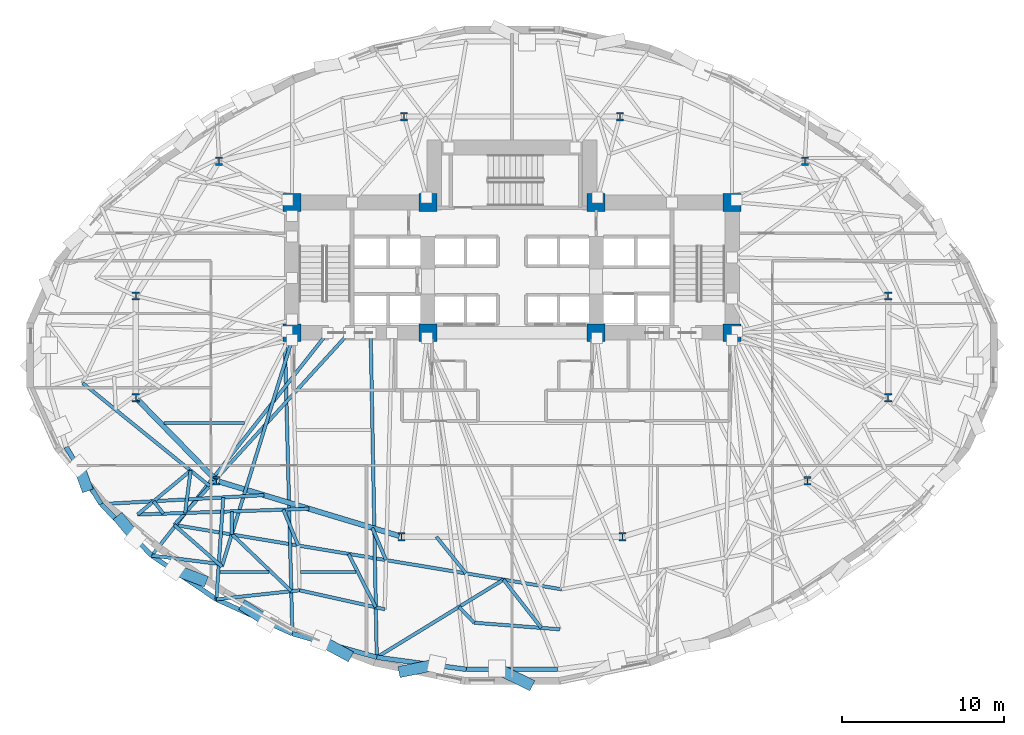
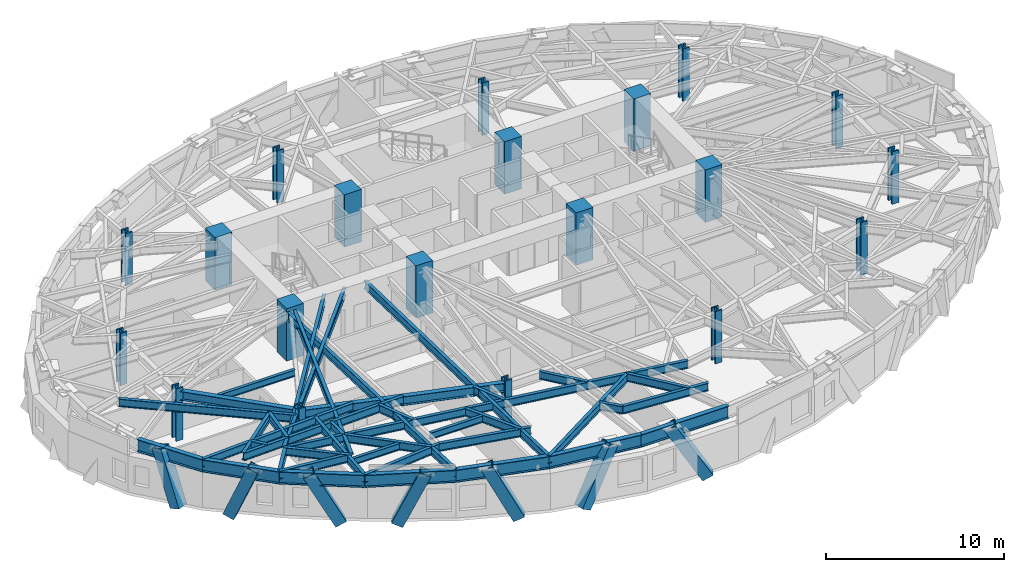
# One storey, part 1 of 14: 39 beams, 20 columns, 7 members.
"""IFC4 building model written with IfcOpenShell, lengths in metres."""

import ifcopenshell
import ifcopenshell.guid

model = None  # the IFC model being written
_history = None  # IfcOwnerHistory: only IFC2X3 demands one
_inside = {}  # id of a spatial element -> (the spatial element, [elements in it])
_under = {}  # id of a project, library or spatial element -> (it, [spatial elements below it])
_declared = {}  # id of a project -> (the project, [libraries it declares])
_typed = {}  # id of a type object -> (the type object, [elements of that type])
_made_of = {}  # id of a material, layer set ... -> (it, [elements and type objects made of it])


def new_model(schema):
    """Start an empty IFC model of exactly this schema.

    Asked for "IFC4X3", IfcOpenShell would pick the latest addendum, in which some entities
    have other attributes; the version numbers below select the first issue.
    IFC2X3 requires an IfcOwnerHistory on every rooted entity: one is made here for all.
    """
    global model, _history
    if schema == "IFC4X3":
        model = ifcopenshell.file(schema_version=(4, 3, 0, 0))
    else:
        model = ifcopenshell.file(schema=schema)
    _inside.clear()
    _under.clear()
    _declared.clear()
    _typed.clear()
    _made_of.clear()
    _history = None
    if model.schema == "IFC2X3":
        org = make("IfcOrganization", Name="unknown")
        user = make(
            "IfcPersonAndOrganization",
            ThePerson=make("IfcPerson", FamilyName="unknown"),
            TheOrganization=org,
        )
        app = make(
            "IfcApplication",
            ApplicationDeveloper=org,
            Version="unknown",
            ApplicationFullName="unknown",
            ApplicationIdentifier="unknown",
        )
        _history = make(
            "IfcOwnerHistory",
            OwningUser=user,
            OwningApplication=app,
            ChangeAction="ADDED",
            CreationDate=0,
        )
    return model


def make(cls, **values):
    """One entity of the class cls with the attributes given. An attribute that is None is left unset."""
    return model.create_entity(
        cls, **{name: value for name, value in values.items() if value is not None}
    )


def rooted(cls, **values):
    """An entity with a GlobalId (a new one), such as an element, a storey or a relation."""
    return make(cls, GlobalId=ifcopenshell.guid.new(), OwnerHistory=_history, **values)


def si_unit(unit_type, name, prefix=None):
    """IfcSIUnit, for example si_unit("LENGTHUNIT", "METRE", prefix="MILLI")."""
    return make("IfcSIUnit", UnitType=unit_type, Prefix=prefix, Name=name)


def assignment(units):
    """IfcUnitAssignment: the units of a project."""
    return None if units is None else make("IfcUnitAssignment", Units=units)


def point(xyz):
    """IfcCartesianPoint."""
    return None if xyz is None else make("IfcCartesianPoint", Coordinates=xyz)


def direction(xyz):
    """IfcDirection."""
    return None if xyz is None else make("IfcDirection", DirectionRatios=xyz)


def frame(location, z_axis=None, x_axis=None):
    """IfcAxis2Placement3D, a coordinate frame: its origin and axes. An axis left out is left unset."""
    return make(
        "IfcAxis2Placement3D",
        Location=point(location),
        Axis=direction(z_axis),
        RefDirection=direction(x_axis),
    )


def frame_2d(location, x_axis=None):
    """IfcAxis2Placement2D, a coordinate frame in the plane: its origin and x axis."""
    return make(
        "IfcAxis2Placement2D", Location=point(location), RefDirection=direction(x_axis)
    )


def origin():
    """The frame at (0, 0, 0) with its axes left unset."""
    return frame((0.0, 0.0, 0.0))


def origin_2d():
    """The frame at (0, 0) in the plane with its x axis left unset."""
    return frame_2d((0.0, 0.0))


def place(relative_to, where):
    """IfcLocalPlacement: puts the frame where relative to a parent placement (None: the world)."""
    return make(
        "IfcLocalPlacement", PlacementRelTo=relative_to, RelativePlacement=where
    )


def context(
    kind, dimensions, precision=None, world=None, true_north=None, identifier=None
):
    """IfcGeometricRepresentationContext, for example the 3D "Model" context."""
    return make(
        "IfcGeometricRepresentationContext",
        ContextIdentifier=identifier,
        ContextType=kind,
        CoordinateSpaceDimension=dimensions,
        Precision=precision,
        WorldCoordinateSystem=world,
        TrueNorth=true_north,
    )


def subcontext(parent, identifier, kind, view, scale=None):
    """IfcGeometricRepresentationSubContext, for example "Body" below "Model"."""
    return make(
        "IfcGeometricRepresentationSubContext",
        ContextIdentifier=identifier,
        ContextType=kind,
        ParentContext=parent,
        TargetScale=scale,
        TargetView=view,
    )


def project(units=None, contexts=None):
    """IfcProject with its units and contexts."""
    return rooted(
        "IfcProject",
        Name="project",
        RepresentationContexts=contexts,
        UnitsInContext=assignment(units),
    )


def spatial(cls, under=None, at=None, **own):
    """A site, building, storey or space (cls), placed at a placement, below another one or the project."""
    s = rooted(cls, ObjectPlacement=at, **own)
    if under is not None:
        _under.setdefault(under.id(), (under, []))[1].append(s)
    return s


def profile(cls, at=None, kind="AREA", **sizes):
    """A parametric profile (cls). Its sizes go by their IFC names, for example OverallWidth=200.0."""
    return make(cls, ProfileType=kind, Position=at, **sizes)


def rectangle(**sizes):
    """IfcRectangleProfileDef."""
    return profile("IfcRectangleProfileDef", **sizes)


def hollow_rectangle(**sizes):
    """IfcRectangleHollowProfileDef."""
    return profile("IfcRectangleHollowProfileDef", **sizes)


def i_section(**sizes):
    """IfcIShapeProfileDef."""
    return profile("IfcIShapeProfileDef", **sizes)


def extrude(swept, where, along, depth):
    """IfcExtrudedAreaSolid: the profile swept, set in the frame where, extruded along a direction by depth."""
    return make(
        "IfcExtrudedAreaSolid",
        SweptArea=swept,
        Position=where,
        ExtrudedDirection=direction(along),
        Depth=depth,
    )


def shape(context_of_items, identifier, shape_type, items):
    """IfcShapeRepresentation: the items that make up one representation, for example the "Body"."""
    return make(
        "IfcShapeRepresentation",
        ContextOfItems=context_of_items,
        RepresentationIdentifier=identifier,
        RepresentationType=shape_type,
        Items=items,
    )


def material(Name=None, Category=None):
    """IfcMaterial."""
    return make("IfcMaterial", Name=Name, Category=Category)


def material_profile(
    of_material, cross_section, Name=None, Category=None, Priority=None
):
    """IfcMaterialProfile: a cross section and its material."""
    return make(
        "IfcMaterialProfile",
        Name=Name,
        Material=of_material,
        Profile=cross_section,
        Priority=Priority,
        Category=Category,
    )


def profile_set(profiles, Name=None, composite=None):
    """IfcMaterialProfileSet."""
    return make(
        "IfcMaterialProfileSet",
        Name=Name,
        MaterialProfiles=profiles,
        CompositeProfile=composite,
    )


def made_of(thing, what):
    """Note that an element or type object is made of a material, layer set ...; save() writes the relation."""
    if what is not None:
        _made_of.setdefault(what.id(), (what, []))[1].append(thing)
    return thing


def type_object(cls, material=None, **own):
    """A type object (cls), such as IfcWallType, which elements share."""
    return made_of(rooted(cls, **own), material)


def element(
    cls,
    number,
    at=None,
    inside=None,
    cuts=None,
    type_object=None,
    material=None,
    context=None,
    identifier="Body",
    shape_type=None,
    held_by="IfcProductDefinitionShape",
    body=None,
    shapes=None,
    **own,
):
    """One element of the class cls, such as IfcWall. Its Tag is "e" and its number.

    at: its placement. inside: the storey or other place that contains it. cuts: it is an
    opening in that element (IfcRelVoidsElement). A single representation is given by context,
    identifier, shape_type and body (its items); several are given by shapes. held_by: the class
    of the entity that holds the representations. save() writes the other relations.
    """
    e = rooted(cls, Tag="e%d" % number, ObjectPlacement=at, **own)
    if body is not None:
        shapes = [shape(context, identifier, shape_type, body)]
    if shapes is not None:
        e.Representation = make(held_by, Representations=shapes)
    if inside is not None:
        _inside.setdefault(inside.id(), (inside, []))[1].append(e)
    if cuts is not None:
        rooted(
            "IfcRelVoidsElement", RelatingBuildingElement=cuts, RelatedOpeningElement=e
        )
    if type_object is not None:
        _typed.setdefault(type_object.id(), (type_object, []))[1].append(e)
    return made_of(e, material)


def aggregate(whole, parts):
    """IfcRelAggregates: a whole, such as a stair, and the parts it consists of."""
    return rooted("IfcRelAggregates", RelatingObject=whole, RelatedObjects=parts)


def save(model, path):
    """Write the relations noted so far, then the file.

    IfcRelAggregates (storeys below a building ...), IfcRelContainedInSpatialStructure (elements
    in a storey), IfcRelDefinesByType, IfcRelAssociatesMaterial and IfcRelDeclares: one each for
    every whole, place, type object, material and project.
    """
    for whole, parts in _under.values():
        aggregate(whole, parts)
    for where, things in _inside.values():
        rooted(
            "IfcRelContainedInSpatialStructure",
            RelatedElements=things,
            RelatingStructure=where,
        )
    for kind, things in _typed.values():
        rooted("IfcRelDefinesByType", RelatedObjects=things, RelatingType=kind)
    for what, things in _made_of.values():
        rooted("IfcRelAssociatesMaterial", RelatedObjects=things, RelatingMaterial=what)
    for by, libraries in _declared.values():
        rooted("IfcRelDeclares", RelatingContext=by, RelatedDefinitions=libraries)
    model.write(path)


model = new_model("IFC4")

# Units and contexts
model_context = context("Model", 3, precision=1e-05, world=origin(), true_north=direction((0.0, 1.0)))
body_context = subcontext(model_context, "Body", "Model", "MODEL_VIEW")
ifc_project = project(units=[si_unit("LENGTHUNIT", "METRE"), si_unit("AREAUNIT", "SQUARE_METRE"), si_unit("VOLUMEUNIT", "CUBIC_METRE"), si_unit("PLANEANGLEUNIT", "RADIAN"), si_unit("MASSUNIT", "GRAM", prefix="KILO")], contexts=[model_context])

# Site, building, storey
site_placement = place(None, origin())
site = spatial("IfcSite", under=ifc_project, at=site_placement, CompositionType="ELEMENT")
building_placement = place(site_placement, origin())
building = spatial("IfcBuilding", under=site, at=building_placement, Name="Keldmark Tower", CompositionType="ELEMENT")
storey_placement = place(building_placement, frame((0.0, 0.0, 73.800048828125)))
storey = spatial("IfcBuildingStorey", under=building, at=storey_placement, Name="L19", CompositionType="ELEMENT", Elevation=73.800048828125)

# Columns
ifc_material_1 = material(Name="Concrete C70/85", Category="concrete")
ifc_material_profile_1 = material_profile(ifc_material_1, rectangle(XDim=1.10009765625, YDim=1.10009765625, at=origin_2d()), Name="RC1100X1100")
ifc_profile_set_1 = profile_set([ifc_material_profile_1], Name="Concrete C70/85")
column_type_1 = type_object("IfcColumnType", Name="Core Boundary Column RC1100", PredefinedType="COLUMN", material=ifc_profile_set_1)
for number, where, z_axis, x_axis, name in (
    (1, (-13.60009765625, 1.39990234375, 0.0), (0.0, 0.0, 1.0), (1.0, 0.0, 0.0), "L19 Core Boundary Column CC-W1"),
    (2, (-13.60009765625, 9.449951171875, 0.0), (0.0, 0.0, 1.0), (1.0, 0.0, 0.0), "L19 Core Boundary Column CC-W2"),
    (3, (-5.199951171875, 1.39990234375, 0.0), (0.0, 0.0, 1.0), (1.0, 0.0, 0.0), "L19 Core Boundary Column CC-W3"),
    (4, (-5.199951171875, 9.449951171875, 0.0), (0.0, 0.0, 1.0), (1.0, 0.0, 0.0), "L19 Core Boundary Column CC-W4"),
    (5, (5.199951171875, 1.39990234375, 0.0), (0.0, 0.0, 1.0), (1.0, 0.0, 0.0), "L19 Core Boundary Column CC-E1"),
    (6, (5.199951171875, 9.449951171875, 0.0), (0.0, 0.0, 1.0), (1.0, 0.0, 0.0), "L19 Core Boundary Column CC-E2"),
    (7, (13.60009765625, 1.39990234375, 0.0), (0.0, 0.0, 1.0), (1.0, 0.0, 0.0), "L19 Core Boundary Column CC-E3"),
    (8, (13.60009765625, 9.449951171875, 0.0), (0.0, 0.0, 1.0), (1.0, 0.0, 0.0), "L19 Core Boundary Column CC-E4"),
):
    element("IfcColumn", number, at=place(storey_placement, frame(where, z_axis=z_axis, x_axis=x_axis)), inside=storey, type_object=column_type_1, Name=name, PredefinedType="COLUMN", context=body_context, shape_type="SweptSolid", body=[
        extrude(rectangle(XDim=1.10009765625, YDim=1.10009765625, at=origin_2d()), origin(), (0.0, 0.0, 1.0), 3.599853515625),
    ])
ifc_material_2 = material(Name="Steel ASTM A992 Grade 50", Category="steel")
ifc_material_profile_2 = material_profile(ifc_material_2, i_section(OverallWidth=0.43701171875, OverallDepth=0.513916015625, WebThickness=0.060546875, FlangeThickness=0.096923828125, at=origin_2d()), Name="W14X550")
ifc_profile_set_2 = profile_set([ifc_material_profile_2], Name="Steel ASTM A992 Grade 50")
column_type_2 = type_object("IfcColumnType", Name="Tower Gravity Column W14X550", PredefinedType="COLUMN", material=ifc_profile_set_2)
for number, where, z_axis, x_axis, name in (
    (9, (23.25390625, 3.67724609375, 0.0), (0.0, 0.0, 1.0), (1.0, 0.0, 0.0), "L19 Tower Gravity Column TC-E1"),
    (10, (18.09765625, 12.00732421875, 0.0), (0.0, 0.0, 1.0), (1.0, 0.0, 0.0), "L19 Tower Gravity Column TC-E4"),
    (11, (6.6650390625, 14.760009765625, 0.0), (0.0, 0.0, 1.0), (1.0, 0.0, 0.0), "L19 Tower Gravity Column TC-N2"),
    (12, (-6.6650390625, 14.760009765625, 0.0), (0.0, 0.0, 1.0), (1.0, 0.0, 0.0), "L19 Tower Gravity Column TC-N1"),
    (13, (-18.09765625, 12.00732421875, 0.0), (0.0, 0.0, 1.0), (1.0, 0.0, 0.0), "L19 Tower Gravity Column TC-W4"),
    (14, (-23.25390625, 3.67724609375, 0.0), (0.0, 0.0, 1.0), (1.0, 0.0, 0.0), "L19 Tower Gravity Column TC-W1"),
    (15, (-23.25390625, -2.61328125, 0.0), (0.0, 0.0, 1.0), (1.0, 0.0, 0.0), "L19 Tower Gravity Column TC-W5"),
    (16, (-18.252685546875, -7.755615234375, 0.0), (0.0, 0.0, 1.0), (1.0, 0.0, 0.0), "L19 Tower Gravity Column TC-W2"),
    (17, (-6.822021484375, -11.205810546875, 0.0), (0.0, 0.0, 1.0), (1.0, 0.0, 0.0), "L19 Tower Gravity Column TC-W3"),
    (18, (6.822021484375, -11.205810546875, 0.0), (0.0, 0.0, 1.0), (1.0, 0.0, 0.0), "L19 Tower Gravity Column TC-E3"),
    (19, (18.252685546875, -7.755615234375, 0.0), (0.0, 0.0, 1.0), (1.0, 0.0, 0.0), "L19 Tower Gravity Column TC-E2"),
    (20, (23.25390625, -2.61328125, 0.0), (0.0, 0.0, 1.0), (1.0, 0.0, 0.0), "L19 Tower Gravity Column TC-E5"),
):
    element("IfcColumn", number, at=place(storey_placement, frame(where, z_axis=z_axis, x_axis=x_axis)), inside=storey, type_object=column_type_2, Name=name, PredefinedType="COLUMN", context=body_context, shape_type="SweptSolid", body=[
        extrude(i_section(OverallWidth=0.43701171875, OverallDepth=0.513916015625, WebThickness=0.060546875, FlangeThickness=0.096923828125, at=origin_2d()), origin(), (0.0, 0.0, 1.0), 3.599853515625),
    ])

# Beams
ifc_material_3 = material(Name="Steel ASTM A992 Grade 50", Category="steel")
ifc_material_profile_3 = material_profile(ifc_material_3, i_section(OverallWidth=0.19091796875, OverallDepth=0.45703125, WebThickness=0.009033203125, FlangeThickness=0.014404296875, at=origin_2d()), Name="W18X50")
ifc_profile_set_3 = profile_set([ifc_material_profile_3], Name="Steel ASTM A992 Grade 50")
beam_type_1 = type_object("IfcBeamType", Name="Composite Floor Joist W18X50", PredefinedType="JOIST", material=ifc_profile_set_3)
beam_1_placement = place(storey_placement, frame((-18.06005859375, -13.3798828125, 3.13134765625), z_axis=(1.0, 0.0, 0.0), x_axis=(0.0, 1.0, 0.0)))
element("IfcBeam", 21, at=beam_1_placement, inside=storey, type_object=beam_type_1, Name="L19 Composite Floor Joist J01", PredefinedType="JOIST", context=body_context, shape_type="SweptSolid", body=[
    extrude(i_section(OverallWidth=0.19091796875, OverallDepth=0.45703125, WebThickness=0.009033203125, FlangeThickness=0.014404296875, at=origin_2d()), origin(), (0.0, 0.0, 1.0), 3.033447265625),
])
beam_2_placement = place(storey_placement, frame((-13.069580078125, -13.3798828125, 3.13134765625), z_axis=(1.0, 0.0, 0.0), x_axis=(0.0, 1.0, 0.0)))
element("IfcBeam", 22, at=beam_2_placement, inside=storey, type_object=beam_type_1, Name="L19 Composite Floor Joist J02", PredefinedType="JOIST", context=body_context, shape_type="SweptSolid", body=[
    extrude(i_section(OverallWidth=0.19091796875, OverallDepth=0.45703125, WebThickness=0.009033203125, FlangeThickness=0.014404296875, at=origin_2d()), origin(), (0.0, 0.0, 1.0), 3.4267578125),
])
beam_3_placement = place(storey_placement, frame((-21.514892578125, -4.179931640625, 3.13134765625), z_axis=(1.0, 0.0, 0.0), x_axis=(0.0, 1.0, 0.0)))
element("IfcBeam", 23, at=beam_3_placement, inside=storey, type_object=beam_type_1, Name="L19 Composite Floor Joist J04", PredefinedType="JOIST", context=body_context, shape_type="SweptSolid", body=[
    extrude(i_section(OverallWidth=0.19091796875, OverallDepth=0.45703125, WebThickness=0.009033203125, FlangeThickness=0.014404296875, at=origin_2d()), origin(), (0.0, 0.0, 1.0), 4.968505859375),
])

# Members
ifc_material_4 = material(Name="Steel ASTM A572 Grade 50", Category="steel")
ifc_material_profile_4 = material_profile(ifc_material_4, hollow_rectangle(XDim=0.699951171875, YDim=0.699951171875, WallThickness=0.054931640625, at=origin_2d()), Name="BOX700X700X55")
ifc_profile_set_4 = profile_set([ifc_material_profile_4], Name="Steel ASTM A572 Grade 50")
member_type = type_object("IfcMemberType", Name="Diagrid Zone 1 Brace BOX700X700X55", PredefinedType="BRACE", material=ifc_profile_set_4)
member_1_placement = place(storey_placement, frame((-26.325439453125, -8.06640625, -0.280029296875), z_axis=(-0.121424360733, 0.331239945047, 0.935700926272), x_axis=(-0.938904059166, -0.344178976234, 0.0)))
element("IfcMember", 24, at=member_1_placement, inside=storey, type_object=member_type, Name="L19 Perimeter Diagrid Brace 09B", PredefinedType="BRACE", context=body_context, shape_type="SweptSolid", body=[
    extrude(hollow_rectangle(XDim=0.699951171875, YDim=0.699951171875, WallThickness=0.054931640625, at=origin_2d()), origin(), (0.0, 0.0, 1.0), 3.761962890625),
])
member_2_placement = place(storey_placement, frame((-24.177001953125, -10.166259765625, -0.280029296875), z_axis=(0.242141041562, -0.293391556055, 0.924818420463), x_axis=(0.771253245277, 0.636528421714, 0.0)))
element("IfcMember", 25, at=member_2_placement, inside=storey, type_object=member_type, Name="L19 Perimeter Diagrid Brace 10A", PredefinedType="BRACE", context=body_context, shape_type="SweptSolid", body=[
    extrude(hollow_rectangle(XDim=0.699951171875, YDim=0.699951171875, WallThickness=0.054931640625, at=origin_2d()), origin(), (0.0, 0.0, 1.0), 3.80615234375),
])
member_3_placement = place(storey_placement, frame((-19.180908203125, -13.884765625, -0.280029296875), z_axis=(-0.429924203582, 0.164223410334, 0.887803948331), x_axis=(-0.356835319894, -0.934167305399, 0.0)))
element("IfcMember", 26, at=member_3_placement, inside=storey, type_object=member_type, Name="L19 Perimeter Diagrid Brace 10B", PredefinedType="BRACE", context=body_context, shape_type="SweptSolid", body=[
    extrude(hollow_rectangle(XDim=0.699951171875, YDim=0.699951171875, WallThickness=0.054931640625, at=origin_2d()), origin(), (0.0, 0.0, 1.0), 3.96484375),
])
member_4_placement = place(storey_placement, frame((-16.43994140625, -15.572509765625, -0.280029296875), z_axis=(0.345986068701, -0.225266810478, 0.910795533784), x_axis=(0.54562819209, 0.838027371866, 0.0)))
element("IfcMember", 27, at=member_4_placement, inside=storey, type_object=member_type, Name="L19 Perimeter Diagrid Brace 11A", PredefinedType="BRACE", context=body_context, shape_type="SweptSolid", body=[
    extrude(hollow_rectangle(XDim=0.699951171875, YDim=0.699951171875, WallThickness=0.054931640625, at=origin_2d()), origin(), (0.0, 0.0, 1.0), 3.86474609375),
])
member_5_placement = place(storey_placement, frame((-10.224365234375, -18.485595703125, -0.280029296875), z_axis=(-0.400836496544, 0.215887288849, 0.890349808531), x_axis=(-0.474188793854, -0.880423186759, 0.0)))
element("IfcMember", 28, at=member_5_placement, inside=storey, type_object=member_type, Name="L19 Perimeter Diagrid Brace 11B", PredefinedType="BRACE", context=body_context, shape_type="SweptSolid", body=[
    extrude(hollow_rectangle(XDim=0.699951171875, YDim=0.699951171875, WallThickness=0.054931640625, at=origin_2d()), origin(), (0.0, 0.0, 1.0), 3.95361328125),
])
member_6_placement = place(storey_placement, frame((-6.690185546875, -19.51611328125, -0.280029296875), z_axis=(0.498603560791, 0.101738769918, 0.860838958146), x_axis=(-0.19992782981, 0.979810626023, 0.0)))
element("IfcMember", 29, at=member_6_placement, inside=storey, type_object=member_type, Name="L19 Perimeter Diagrid Brace 12A", PredefinedType="BRACE", context=body_context, shape_type="SweptSolid", body=[
    extrude(hollow_rectangle(XDim=0.699951171875, YDim=0.699951171875, WallThickness=0.054931640625, at=origin_2d()), origin(), (0.0, 0.0, 1.0), 4.089111328125),
])
member_7_placement = place(storey_placement, frame((0.990966796875, -20.28564453125, -0.280029296875), z_axis=(-0.467374178773, 0.227910820857, 0.85417681703), x_axis=(-0.438304657062, -0.898826472462, 0.0)))
element("IfcMember", 30, at=member_7_placement, inside=storey, type_object=member_type, Name="L19 Perimeter Diagrid Brace 12B", PredefinedType="BRACE", context=body_context, shape_type="SweptSolid", body=[
    extrude(hollow_rectangle(XDim=0.699951171875, YDim=0.699951171875, WallThickness=0.054931640625, at=origin_2d()), origin(), (0.0, 0.0, 1.0), 4.120849609375),
])

# Beams
ifc_material_5 = material(Name="Steel ASTM A992 Grade 50", Category="steel")
ifc_material_profile_5 = material_profile(ifc_material_5, i_section(OverallWidth=0.323974609375, OverallDepth=0.611083984375, WebThickness=0.0126953125, FlangeThickness=0.01904296875, at=origin_2d()), Name="W24X104")
ifc_profile_set_5 = profile_set([ifc_material_profile_5], Name="Steel ASTM A992 Grade 50")
beam_type_2 = type_object("IfcBeamType", Name="Primary Floor Girder W24X104", PredefinedType="BEAM", material=ifc_profile_set_5)
beam_4_placement = place(storey_placement, frame((-23.156494140625, -2.713623046875, 3.054443359375), z_axis=(0.697210382268, -0.716866572563, 0.0), x_axis=(0.716866572563, 0.697210382268, 0.0)))
element("IfcBeam", 31, at=beam_4_placement, inside=storey, type_object=beam_type_2, Name="L19 Floor Ring Girder FG-R07", PredefinedType="BEAM", context=body_context, shape_type="SweptSolid", body=[
    extrude(i_section(OverallWidth=0.323974609375, OverallDepth=0.611083984375, WebThickness=0.0126953125, FlangeThickness=0.01904296875, at=origin_2d()), origin(), (0.0, 0.0, 1.0), 6.893310546875),
])
beam_5_placement = place(storey_placement, frame((-18.118896484375, -7.796142578125, 3.054443359375), z_axis=(0.957346071406, -0.2889437654, 0.0), x_axis=(0.2889437654, 0.957346071406, 0.0)))
element("IfcBeam", 32, at=beam_5_placement, inside=storey, type_object=beam_type_2, Name="L19 Floor Ring Girder FG-R08", PredefinedType="BEAM", context=body_context, shape_type="SweptSolid", body=[
    extrude(i_section(OverallWidth=0.323974609375, OverallDepth=0.611083984375, WebThickness=0.0126953125, FlangeThickness=0.01904296875, at=origin_2d()), origin(), (0.0, 0.0, 1.0), 11.66015625),
])
ifc_material_6 = material(Name="Steel ASTM A992 Grade 50", Category="steel")
ifc_material_profile_6 = material_profile(ifc_material_6, i_section(OverallWidth=0.2099609375, OverallDepth=0.537109375, WebThickness=0.010986328125, FlangeThickness=0.017333984375, at=origin_2d()), Name="W21X68")
ifc_profile_set_6 = profile_set([ifc_material_profile_6], Name="Steel ASTM A992 Grade 50")
beam_type_3 = type_object("IfcBeamType", Name="Radial Tie Girder W21X68", PredefinedType="BEAM", material=ifc_profile_set_6)
beam_6_placement = place(storey_placement, frame((-26.531982421875, -1.709228515625, 3.091552734375), z_axis=(0.776629815631, -0.629957244163, 0.0), x_axis=(0.629957244163, 0.776629815631, 0.0)))
element("IfcBeam", 33, at=beam_6_placement, inside=storey, type_object=beam_type_3, Name="L19 Framing Pin Header PH-010", PredefinedType="BEAM", context=body_context, shape_type="SweptSolid", body=[
    extrude(i_section(OverallWidth=0.2099609375, OverallDepth=0.537109375, WebThickness=0.010986328125, FlangeThickness=0.017333984375, at=origin_2d()), origin(), (0.0, 0.0, 1.0), 10.100341796875),
])
beam_7_placement = place(storey_placement, frame((-10.064208984375, 1.39990234375, 3.091552734375), z_axis=(-0.673212009999, -0.739449517948, 0.0), x_axis=(0.739449517948, -0.673212009999, 0.0)))
element("IfcBeam", 34, at=beam_7_placement, inside=storey, type_object=beam_type_3, Name="L19 Sub-Ring Step Girder STP2-M08", PredefinedType="BEAM", context=body_context, shape_type="SweptSolid", body=[
    extrude(i_section(OverallWidth=0.2099609375, OverallDepth=0.537109375, WebThickness=0.010986328125, FlangeThickness=0.017333984375, at=origin_2d()), origin(), (0.0, 0.0, 1.0), 16.06298828125),
])
beam_8_placement = place(storey_placement, frame((-20.8779296875, -10.477783203125, 3.091552734375), z_axis=(0.986481309815, -0.163873809332, 0.0), x_axis=(0.163873809332, 0.986481309815, 0.0)))
element("IfcBeam", 35, at=beam_8_placement, inside=storey, type_object=beam_type_3, Name="L19 Perimeter Collector Ring Beam CRG2-M08", PredefinedType="BEAM", context=body_context, shape_type="SweptSolid", body=[
    extrude(i_section(OverallWidth=0.2099609375, OverallDepth=0.537109375, WebThickness=0.010986328125, FlangeThickness=0.017333984375, at=origin_2d()), origin(), (0.0, 0.0, 1.0), 24.27490234375),
])
beam_9_placement = place(storey_placement, frame((-19.8642578125, -7.11767578125, 3.091552734375), z_axis=(-0.128402502657, -0.991722137149, 0.0), x_axis=(0.991722137149, -0.128402502657, 0.0)))
element("IfcBeam", 36, at=beam_9_placement, inside=storey, type_object=beam_type_3, Name="L19 Framing Pin Header PH-028", PredefinedType="BEAM", context=body_context, shape_type="SweptSolid", body=[
    extrude(i_section(OverallWidth=0.2099609375, OverallDepth=0.537109375, WebThickness=0.010986328125, FlangeThickness=0.017333984375, at=origin_2d()), origin(), (0.0, 0.0, 1.0), 2.64111328125),
])
beam_10_placement = place(storey_placement, frame((-12.537353515625, -9.480712890625, 3.091552734375), z_axis=(-0.999442170255, -0.03339683092, 0.0), x_axis=(0.03339683092, -0.999442170255, 0.0)))
element("IfcBeam", 37, at=beam_10_placement, inside=storey, type_object=beam_type_3, Name="L19 Intermediate Radial Step Girder RT-19M", PredefinedType="BEAM", context=body_context, shape_type="SweptSolid", body=[
    extrude(i_section(OverallWidth=0.2099609375, OverallDepth=0.537109375, WebThickness=0.010986328125, FlangeThickness=0.017333984375, at=origin_2d()), origin(), (0.0, 0.0, 1.0), 10.607177734375),
])
beam_11_placement = place(storey_placement, frame((-19.8642578125, -7.11767578125, 3.091552734375), z_axis=(-0.769536497001, -0.63860283415, 0.0), x_axis=(0.63860283415, -0.769536497001, 0.0)))
element("IfcBeam", 38, at=beam_11_placement, inside=storey, type_object=beam_type_3, Name="L19 Local Collector Chord RT-19C", PredefinedType="BEAM", context=body_context, shape_type="SweptSolid", body=[
    extrude(i_section(OverallWidth=0.2099609375, OverallDepth=0.537109375, WebThickness=0.010986328125, FlangeThickness=0.017333984375, at=origin_2d()), origin(), (0.0, 0.0, 1.0), 4.255126953125),
])
beam_12_placement = place(storey_placement, frame((-21.54833984375, -9.781982421875, 3.091552734375), z_axis=(-0.615585744041, 0.788069915511, 0.0), x_axis=(-0.788069915511, -0.615585744041, 0.0)))
element("IfcBeam", 39, at=beam_12_placement, inside=storey, type_object=beam_type_3, Name="L19 Framing Pin Header PH-029", PredefinedType="BEAM", context=body_context, shape_type="SweptSolid", body=[
    extrude(i_section(OverallWidth=0.2099609375, OverallDepth=0.537109375, WebThickness=0.010986328125, FlangeThickness=0.017333984375, at=origin_2d()), origin(), (0.0, 0.0, 1.0), 0.975341796875),
])
beam_13_placement = place(storey_placement, frame((-15.328125, -8.638427734375, 3.091552734375), z_axis=(-0.998492064071, -0.054896247486, 0.0), x_axis=(0.054896247486, -0.998492064071, 0.0)))
element("IfcBeam", 40, at=beam_13_placement, inside=storey, type_object=beam_type_3, Name="L19 Perimeter Radial Tie Girder RT-19", PredefinedType="BEAM", context=body_context, shape_type="SweptSolid", body=[
    extrude(i_section(OverallWidth=0.2099609375, OverallDepth=0.537109375, WebThickness=0.010986328125, FlangeThickness=0.017333984375, at=origin_2d()), origin(), (0.0, 0.0, 1.0), 10.08642578125),
])
beam_14_placement = place(storey_placement, frame((-11.392822265625, 1.39990234375, 3.091552734375), z_axis=(-0.61958878866, -0.784926578074, 0.0), x_axis=(0.784926578074, -0.61958878866, 0.0)))
element("IfcBeam", 41, at=beam_14_placement, inside=storey, type_object=beam_type_3, Name="L19 Perimeter Radial Tie Girder RT-20", PredefinedType="BEAM", context=body_context, shape_type="SweptSolid", body=[
    extrude(i_section(OverallWidth=0.2099609375, OverallDepth=0.537109375, WebThickness=0.010986328125, FlangeThickness=0.017333984375, at=origin_2d()), origin(), (0.0, 0.0, 1.0), 17.543701171875),
])
beam_15_placement = place(storey_placement, frame((-17.307861328125, -9.64013671875, 3.091552734375), z_axis=(-0.009227221655, -0.999957428284, 0.0), x_axis=(0.999957428284, -0.009227221655, 0.0)))
element("IfcBeam", 42, at=beam_15_placement, inside=storey, type_object=beam_type_3, Name="L19 Framing Pin Header PH-030", PredefinedType="BEAM", context=body_context, shape_type="SweptSolid", body=[
    extrude(i_section(OverallWidth=0.2099609375, OverallDepth=0.537109375, WebThickness=0.010986328125, FlangeThickness=0.017333984375, at=origin_2d()), origin(), (0.0, 0.0, 1.0), 1.4287109375),
])
beam_16_placement = place(storey_placement, frame((-13.60009765625, 0.949951171875, 3.091552734375), z_axis=(-0.295757212675, -0.955263142359, 0.0), x_axis=(0.955263142359, -0.295757212675, 0.0)))
element("IfcBeam", 43, at=beam_16_placement, inside=storey, type_object=beam_type_3, Name="L19 Intermediate Radial Step Girder RT-21M", PredefinedType="BEAM", context=body_context, shape_type="SweptSolid", body=[
    extrude(i_section(OverallWidth=0.2099609375, OverallDepth=0.537109375, WebThickness=0.010986328125, FlangeThickness=0.017333984375, at=origin_2d()), origin(), (0.0, 0.0, 1.0), 14.65380859375),
])
beam_17_placement = place(storey_placement, frame((-20.8779296875, -10.477783203125, 3.091552734375), z_axis=(0.753249638303, -0.657734735586, 0.0), x_axis=(0.657734735586, 0.753249638303, 0.0)))
element("IfcBeam", 44, at=beam_17_placement, inside=storey, type_object=beam_type_3, Name="L19 Local Collector Chord RT-21C", PredefinedType="BEAM", context=body_context, shape_type="SweptSolid", body=[
    extrude(i_section(OverallWidth=0.2099609375, OverallDepth=0.537109375, WebThickness=0.010986328125, FlangeThickness=0.017333984375, at=origin_2d()), origin(), (0.0, 0.0, 1.0), 3.908203125),
])
beam_18_placement = place(storey_placement, frame((-22.2626953125, -12.37060546875, 3.091552734375), z_axis=(0.992418594109, -0.122903759369, 0.0), x_axis=(0.122903759369, 0.992418594109, 0.0)))
element("IfcBeam", 45, at=beam_18_placement, inside=storey, type_object=beam_type_3, Name="L19 Framing Pin Header PH-031", PredefinedType="BEAM", context=body_context, shape_type="SweptSolid", body=[
    extrude(i_section(OverallWidth=0.2099609375, OverallDepth=0.537109375, WebThickness=0.010986328125, FlangeThickness=0.017333984375, at=origin_2d()), origin(), (0.0, 0.0, 1.0), 4.171630859375),
])
beam_19_placement = place(storey_placement, frame((-17.845947265625, -8.77685546875, 3.091552734375), z_axis=(-0.067271273334, -0.99773472215, 0.0), x_axis=(0.99773472215, -0.067271273334, 0.0)))
element("IfcBeam", 46, at=beam_19_placement, inside=storey, type_object=beam_type_3, Name="L19 Perimeter Radial Tie Girder RT-21", PredefinedType="BEAM", context=body_context, shape_type="SweptSolid", body=[
    extrude(i_section(OverallWidth=0.2099609375, OverallDepth=0.537109375, WebThickness=0.010986328125, FlangeThickness=0.017333984375, at=origin_2d()), origin(), (0.0, 0.0, 1.0), 6.311279296875),
])
beam_20_placement = place(storey_placement, frame((-14.127685546875, -9.533935546875, 3.091552734375), z_axis=(0.380642248024, -0.92472237943, 0.0), x_axis=(0.92472237943, 0.380642248024, 0.0)))
element("IfcBeam", 47, at=beam_20_placement, inside=storey, type_object=beam_type_3, Name="L19 Framing Pin Header PH-032", PredefinedType="BEAM", context=body_context, shape_type="SweptSolid", body=[
    extrude(i_section(OverallWidth=0.2099609375, OverallDepth=0.537109375, WebThickness=0.010986328125, FlangeThickness=0.017333984375, at=origin_2d()), origin(), (0.0, 0.0, 1.0), 2.3974609375),
])
beam_21_placement = place(storey_placement, frame((-18.2705078125, -15.07373046875, 3.091552734375), z_axis=(0.994205956316, 0.107491936562, 0.0), x_axis=(-0.107491936562, 0.994205956316, 0.0)))
element("IfcBeam", 48, at=beam_21_placement, inside=storey, type_object=beam_type_3, Name="L19 Local Collector Chord RT-22C", PredefinedType="BEAM", context=body_context, shape_type="SweptSolid", body=[
    extrude(i_section(OverallWidth=0.2099609375, OverallDepth=0.537109375, WebThickness=0.010986328125, FlangeThickness=0.017333984375, at=origin_2d()), origin(), (0.0, 0.0, 1.0), 5.16943359375),
])
beam_22_placement = place(storey_placement, frame((-17.285888671875, -11.07470703125, 3.091552734375), z_axis=(0.721222128882, -0.692703862275, 0.0), x_axis=(0.692703862275, 0.721222128882, 0.0)))
element("IfcBeam", 49, at=beam_22_placement, inside=storey, type_object=beam_type_3, Name="L19 Framing Pin Header PH-033", PredefinedType="BEAM", context=body_context, shape_type="SweptSolid", body=[
    extrude(i_section(OverallWidth=0.2099609375, OverallDepth=0.537109375, WebThickness=0.010986328125, FlangeThickness=0.017333984375, at=origin_2d()), origin(), (0.0, 0.0, 1.0), 5.05078125),
])
beam_23_placement = place(storey_placement, frame((-14.050048828125, 1.39990234375, 3.091552734375), z_axis=(0.025472532838, -0.999675522393, 0.0), x_axis=(0.999675522393, 0.025472532838, 0.0)))
element("IfcBeam", 50, at=beam_23_placement, inside=storey, type_object=beam_type_3, Name="L19 Perimeter Radial Tie Girder RT-22", PredefinedType="BEAM", context=body_context, shape_type="SweptSolid", body=[
    extrude(i_section(OverallWidth=0.2099609375, OverallDepth=0.537109375, WebThickness=0.010986328125, FlangeThickness=0.017333984375, at=origin_2d()), origin(), (0.0, 0.0, 1.0), 18.603515625),
])
beam_24_placement = place(storey_placement, frame((-8.630615234375, -10.659912109375, 3.091552734375), z_axis=(0.390541158307, -0.920585467878, 0.0), x_axis=(0.920585467878, 0.390541158307, 0.0)))
element("IfcBeam", 51, at=beam_24_placement, inside=storey, type_object=beam_type_3, Name="L19 Framing Pin Header PH-034", PredefinedType="BEAM", context=body_context, shape_type="SweptSolid", body=[
    extrude(i_section(OverallWidth=0.2099609375, OverallDepth=0.537109375, WebThickness=0.010986328125, FlangeThickness=0.017333984375, at=origin_2d()), origin(), (0.0, 0.0, 1.0), 2.164794921875),
])
beam_25_placement = place(storey_placement, frame((-13.131103515625, -14.51806640625, 3.091552734375), z_axis=(0.976067618206, -0.217467249692, 0.0), x_axis=(0.217467249692, 0.976067618206, 0.0)))
element("IfcBeam", 52, at=beam_25_placement, inside=storey, type_object=beam_type_3, Name="L19 Local Collector Chord RT-23C", PredefinedType="BEAM", context=body_context, shape_type="SweptSolid", body=[
    extrude(i_section(OverallWidth=0.2099609375, OverallDepth=0.537109375, WebThickness=0.010986328125, FlangeThickness=0.017333984375, at=origin_2d()), origin(), (0.0, 0.0, 1.0), 5.393310546875),
])
beam_26_placement = place(storey_placement, frame((-10.101806640625, -12.26806640625, 3.091552734375), z_axis=(0.454447931984, -0.890773302875, 0.0), x_axis=(0.890773302875, 0.454447931984, 0.0)))
element("IfcBeam", 53, at=beam_26_placement, inside=storey, type_object=beam_type_3, Name="L19 Framing Pin Header PH-035", PredefinedType="BEAM", context=body_context, shape_type="SweptSolid", body=[
    extrude(i_section(OverallWidth=0.2099609375, OverallDepth=0.537109375, WebThickness=0.010986328125, FlangeThickness=0.017333984375, at=origin_2d()), origin(), (0.0, 0.0, 1.0), 3.70458984375),
])
beam_27_placement = place(storey_placement, frame((-8.735595703125, 1.39990234375, 3.091552734375), z_axis=(0.018714698625, -0.999824864692, 0.0), x_axis=(0.999824864692, 0.018714698625, 0.0)))
element("IfcBeam", 54, at=beam_27_placement, inside=storey, type_object=beam_type_3, Name="L19 Perimeter Radial Tie Girder RT-23", PredefinedType="BEAM", context=body_context, shape_type="SweptSolid", body=[
    extrude(i_section(OverallWidth=0.2099609375, OverallDepth=0.537109375, WebThickness=0.010986328125, FlangeThickness=0.017333984375, at=origin_2d()), origin(), (0.0, 0.0, 1.0), 20.063720703125),
])
beam_28_placement = place(storey_placement, frame((-4.677490234375, -11.205810546875, 3.091552734375), z_axis=(0.629082694231, -0.777338384373, 0.0), x_axis=(0.777338384373, 0.629082694231, 0.0)))
element("IfcBeam", 55, at=beam_28_placement, inside=storey, type_object=beam_type_3, Name="L19 Framing Pin Header PH-036", PredefinedType="BEAM", context=body_context, shape_type="SweptSolid", body=[
    extrude(i_section(OverallWidth=0.2099609375, OverallDepth=0.537109375, WebThickness=0.010986328125, FlangeThickness=0.017333984375, at=origin_2d()), origin(), (0.0, 0.0, 1.0), 2.91796875),
])
beam_29_placement = place(storey_placement, frame((-2.34375, -16.521240234375, 3.091552734375), z_axis=(0.99701428722, -0.077217297792, 0.0), x_axis=(0.077217297792, 0.99701428722, 0.0)))
element("IfcBeam", 56, at=beam_29_placement, inside=storey, type_object=beam_type_3, Name="L19 Local Collector Chord RT-25C", PredefinedType="BEAM", context=body_context, shape_type="SweptSolid", body=[
    extrude(i_section(OverallWidth=0.2099609375, OverallDepth=0.537109375, WebThickness=0.010986328125, FlangeThickness=0.017333984375, at=origin_2d()), origin(), (0.0, 0.0, 1.0), 5.305419921875),
])
beam_30_placement = place(storey_placement, frame((-0.523193359375, -13.859130859375, 3.091552734375), z_axis=(0.616395111311, -0.787437023991, 0.0), x_axis=(0.787437023991, 0.616395111311, 0.0)))
element("IfcBeam", 57, at=beam_30_placement, inside=storey, type_object=beam_type_3, Name="L19 Framing Pin Header PH-038", PredefinedType="BEAM", context=body_context, shape_type="SweptSolid", body=[
    extrude(i_section(OverallWidth=0.2099609375, OverallDepth=0.537109375, WebThickness=0.010986328125, FlangeThickness=0.017333984375, at=origin_2d()), origin(), (0.0, 0.0, 1.0), 3.789794921875),
])
beam_31_placement = place(storey_placement, frame((-8.360107421875, -18.660400390625, 3.091552734375), z_axis=(0.852698209692, 0.522403831521, 0.0), x_axis=(-0.522403831521, 0.852698209692, 0.0)))
element("IfcBeam", 58, at=beam_31_placement, inside=storey, type_object=beam_type_3, Name="L19 Straddling Support Chord RT-24RB", PredefinedType="BEAM", context=body_context, shape_type="SweptSolid", body=[
    extrude(i_section(OverallWidth=0.2099609375, OverallDepth=0.537109375, WebThickness=0.010986328125, FlangeThickness=0.017333984375, at=origin_2d()), origin(), (0.0, 0.0, 1.0), 9.190673828125),
])
beam_32_placement = place(storey_placement, frame((-2.34375, -16.521240234375, 3.091552734375), z_axis=(-0.689519589519, 0.7242670334, 0.0), x_axis=(-0.7242670334, -0.689519589519, 0.0)))
element("IfcBeam", 59, at=beam_32_placement, inside=storey, type_object=beam_type_3, Name="L19 Framing Pin Header PH-049", PredefinedType="BEAM", context=body_context, shape_type="SweptSolid", body=[
    extrude(i_section(OverallWidth=0.2099609375, OverallDepth=0.537109375, WebThickness=0.010986328125, FlangeThickness=0.017333984375, at=origin_2d()), origin(), (0.0, 0.0, 1.0), 1.34912109375),
])
ifc_material_7 = material(Name="Steel ASTM A992 Grade 50", Category="steel")
ifc_material_profile_7 = material_profile(ifc_material_7, i_section(OverallWidth=0.2919921875, OverallDepth=0.85888671875, WebThickness=0.01708984375, FlangeThickness=0.031005859375, at=origin_2d()), Name="W33X169")
ifc_profile_set_7 = profile_set([ifc_material_profile_7], Name="Steel ASTM A992 Grade 50")
beam_type_4 = type_object("IfcBeamType", Name="Spandrel Ring Beam W33X169", PredefinedType="SPANDREL", material=ifc_profile_set_7)
beam_33_placement = place(storey_placement, frame((-27.559814453125, -5.66064453125, 2.930419921875), z_axis=(0.521848315684, -0.853038296572, 0.0), x_axis=(0.853038296572, 0.521848315684, 0.0)))
element("IfcBeam", 60, at=beam_33_placement, inside=storey, type_object=beam_type_4, Name="L19 Perimeter Spandrel Ring Beam SRB-18", PredefinedType="SPANDREL", context=body_context, shape_type="SweptSolid", body=[
    extrude(i_section(OverallWidth=0.2919921875, OverallDepth=0.85888671875, WebThickness=0.01708984375, FlangeThickness=0.031005859375, at=origin_2d()), origin(), (0.0, 0.0, 1.0), 4.139892578125),
])
beam_34_placement = place(storey_placement, frame((-25.3994140625, -9.192138671875, 2.930419921875), z_axis=(0.702416934119, -0.711765727373, 0.0), x_axis=(0.711765727373, 0.702416934119, 0.0)))
element("IfcBeam", 61, at=beam_34_placement, inside=storey, type_object=beam_type_4, Name="L19 Perimeter Spandrel Ring Beam SRB-19", PredefinedType="SPANDREL", context=body_context, shape_type="SweptSolid", body=[
    extrude(i_section(OverallWidth=0.2919921875, OverallDepth=0.85888671875, WebThickness=0.01708984375, FlangeThickness=0.031005859375, at=origin_2d()), origin(), (0.0, 0.0, 1.0), 4.465576171875),
])
beam_35_placement = place(storey_placement, frame((-22.2626953125, -12.37060546875, 2.930419921875), z_axis=(0.82804003003, -0.560668983151, 0.0), x_axis=(0.560668983151, 0.82804003003, 0.0)))
element("IfcBeam", 62, at=beam_35_placement, inside=storey, type_object=beam_type_4, Name="L19 Perimeter Spandrel Ring Beam SRB-20", PredefinedType="SPANDREL", context=body_context, shape_type="SweptSolid", body=[
    extrude(i_section(OverallWidth=0.2919921875, OverallDepth=0.85888671875, WebThickness=0.01708984375, FlangeThickness=0.031005859375, at=origin_2d()), origin(), (0.0, 0.0, 1.0), 4.8212890625),
])
beam_36_placement = place(storey_placement, frame((-18.2705078125, -15.07373046875, 2.930419921875), z_axis=(0.911096907159, -0.412192219439, 0.0), x_axis=(0.412192219439, 0.911096907159, 0.0)))
element("IfcBeam", 63, at=beam_36_placement, inside=storey, type_object=beam_type_4, Name="L19 Perimeter Spandrel Ring Beam SRB-21", PredefinedType="SPANDREL", context=body_context, shape_type="SweptSolid", body=[
    extrude(i_section(OverallWidth=0.2919921875, OverallDepth=0.85888671875, WebThickness=0.01708984375, FlangeThickness=0.031005859375, at=origin_2d()), origin(), (0.0, 0.0, 1.0), 5.15234375),
])
beam_37_placement = place(storey_placement, frame((-13.576171875, -17.197509765625, 2.930419921875), z_axis=(0.962849260033, -0.270039446109, 0.0), x_axis=(0.270039446109, 0.962849260033, 0.0)))
element("IfcBeam", 64, at=beam_37_placement, inside=storey, type_object=beam_type_4, Name="L19 Perimeter Spandrel Ring Beam SRB-22", PredefinedType="SPANDREL", context=body_context, shape_type="SweptSolid", body=[
    extrude(i_section(OverallWidth=0.2919921875, OverallDepth=0.85888671875, WebThickness=0.01708984375, FlangeThickness=0.031005859375, at=origin_2d()), origin(), (0.0, 0.0, 1.0), 5.417236328125),
])
beam_38_placement = place(storey_placement, frame((-8.360107421875, -18.660400390625, 2.930419921875), z_axis=(0.99105532763, -0.133451630096, 0.0), x_axis=(0.133451630096, 0.99105532763, 0.0)))
element("IfcBeam", 65, at=beam_38_placement, inside=storey, type_object=beam_type_4, Name="L19 Perimeter Spandrel Ring Beam SRB-23", PredefinedType="SPANDREL", context=body_context, shape_type="SweptSolid", body=[
    extrude(i_section(OverallWidth=0.2919921875, OverallDepth=0.85888671875, WebThickness=0.01708984375, FlangeThickness=0.031005859375, at=origin_2d()), origin(), (0.0, 0.0, 1.0), 5.587158203125),
])
beam_39_placement = place(storey_placement, frame((-2.822998046875, -19.406005859375, 2.930419921875), z_axis=(1.0, 0.0, 0.0), x_axis=(0.0, 1.0, 0.0)))
element("IfcBeam", 66, at=beam_39_placement, inside=storey, type_object=beam_type_4, Name="L19 Perimeter Spandrel Ring Beam SRB-24", PredefinedType="SPANDREL", context=body_context, shape_type="SweptSolid", body=[
    extrude(i_section(OverallWidth=0.2919921875, OverallDepth=0.85888671875, WebThickness=0.01708984375, FlangeThickness=0.031005859375, at=origin_2d()), origin(), (0.0, 0.0, 1.0), 5.64599609375),
])

save(model, "model.ifc")
